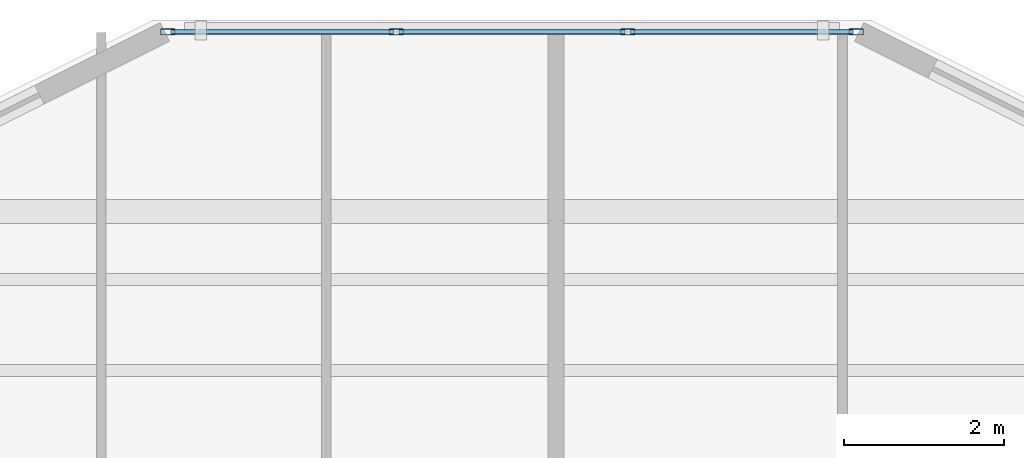
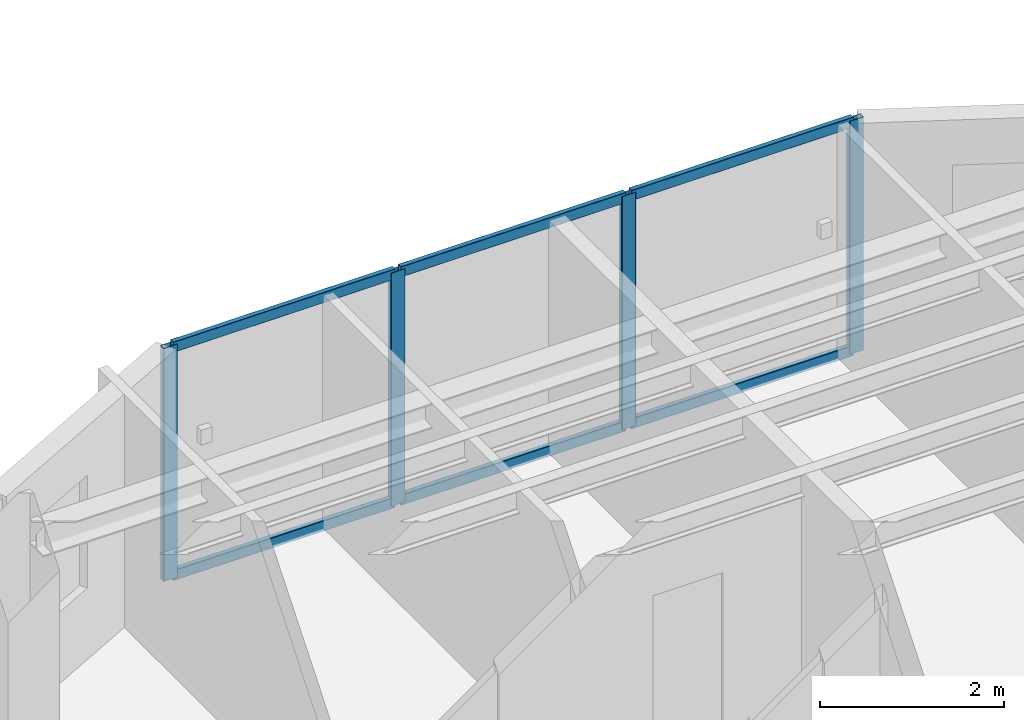
# One storey, part 4 of 15: 10 members, 1 element without a shape of its own.
"""IFC4 building model written with IfcOpenShell, lengths in metres."""

from ifc_helpers import new_model, si_unit, direction, frame, origin, origin_2d, place, context, subcontext, project, spatial, hollow_rectangle, extrude, material, layer, layer_set, material_profile, profile_set, type_object, element, aggregate, save


model = new_model("IFC4")

# Units and contexts
model_context = context("Model", 3, precision=1e-05, world=origin(), true_north=direction((0.0, 1.0)))
body_context = subcontext(model_context, "Body", "Model", "MODEL_VIEW")
ifc_project = project(units=[si_unit("LENGTHUNIT", "METRE"), si_unit("AREAUNIT", "SQUARE_METRE"), si_unit("VOLUMEUNIT", "CUBIC_METRE"), si_unit("PLANEANGLEUNIT", "RADIAN"), si_unit("MASSUNIT", "GRAM", prefix="KILO")], contexts=[model_context])

# Site, building, storey
site_placement = place(None, origin())
site = spatial("IfcSite", under=ifc_project, at=site_placement, CompositionType="ELEMENT")
building_placement = place(site_placement, origin())
building = spatial("IfcBuilding", under=site, at=building_placement, Name="Tarnavaz Court Tower", CompositionType="ELEMENT")
storey_placement = place(building_placement, frame((0.0, 0.0, 244.85009765625)))
storey = spatial("IfcBuildingStorey", under=building, at=storey_placement, Name="L66", CompositionType="ELEMENT", Elevation=244.85009765625)

# Curtain wall, members
ifc_material_1 = material(Name="Anodised Aluminium 6063-T6 and Solar Low-E Glazing", Category="aluminium")
ifc_layer = layer(ifc_material_1, 0.159912109375)
ifc_layer_set = layer_set([ifc_layer], Name="Anodised Aluminium 6063-T6 and Solar Low-E Glazing")
curtain_wall_type = type_object("IfcCurtainWallType", Name="CW-SYS-03", PredefinedType="NOTDEFINED", material=ifc_layer_set)
curtain_wall_placement = place(storey_placement, origin())
curtain_wall = element("IfcCurtainWall", 1, at=curtain_wall_placement, inside=storey, type_object=curtain_wall_type, Name="L66 Iwan Prow Curtain Wall 7", PredefinedType="NOTDEFINED")
ifc_material_2 = material(Name="Anodised Aluminium 6063-T6", Category="aluminium")
ifc_material_profile_1 = material_profile(ifc_material_2, hollow_rectangle(XDim=0.074951171875, YDim=0.179931640625, WallThickness=0.0048828125, InnerFilletRadius=0.0048828125, OuterFilletRadius=0.010009765625, at=origin_2d()), Name="ALU RHS 180X75X5")
ifc_profile_set_1 = profile_set([ifc_material_profile_1], Name="Anodised Aluminium 6063-T6")
member_type_1 = type_object("IfcMemberType", Name="CW-MUL-180", PredefinedType="MULLION", material=ifc_profile_set_1)
member_1_placement = place(storey_placement, frame((-4.3125, 22.35009765625, 0.0), z_axis=(0.0, 0.0, 1.0), x_axis=(0.0, 1.0, 0.0)))
member_1 = element("IfcMember", 2, at=member_1_placement, type_object=member_type_1, Name="CW mullion 1", PredefinedType="MULLION", context=body_context, shape_type="SweptSolid", body=[
    extrude(hollow_rectangle(XDim=0.074951171875, YDim=0.179931640625, WallThickness=0.0048828125, InnerFilletRadius=0.0048828125, OuterFilletRadius=0.010009765625, at=origin_2d()), origin(), (0.0, 0.0, 1.0), 3.099853515625),
])
member_2_placement = place(storey_placement, frame((-1.449951171875, 22.35009765625, 0.0), z_axis=(0.0, 0.0, 1.0), x_axis=(0.0, 1.0, 0.0)))
member_2 = element("IfcMember", 3, at=member_2_placement, type_object=member_type_1, Name="CW mullion 2", PredefinedType="MULLION", context=body_context, shape_type="SweptSolid", body=[
    extrude(hollow_rectangle(XDim=0.074951171875, YDim=0.179931640625, WallThickness=0.0048828125, InnerFilletRadius=0.0048828125, OuterFilletRadius=0.010009765625, at=origin_2d()), origin(), (0.0, 0.0, 1.0), 3.099853515625),
])
member_3_placement = place(storey_placement, frame((1.449951171875, 22.35009765625, 0.0), z_axis=(0.0, 0.0, 1.0), x_axis=(0.0, 1.0, 0.0)))
member_3 = element("IfcMember", 4, at=member_3_placement, type_object=member_type_1, Name="CW mullion 3", PredefinedType="MULLION", context=body_context, shape_type="SweptSolid", body=[
    extrude(hollow_rectangle(XDim=0.074951171875, YDim=0.179931640625, WallThickness=0.0048828125, InnerFilletRadius=0.0048828125, OuterFilletRadius=0.010009765625, at=origin_2d()), origin(), (0.0, 0.0, 1.0), 3.099853515625),
])
member_4_placement = place(storey_placement, frame((4.3125, 22.35009765625, 0.0), z_axis=(0.0, 0.0, 1.0), x_axis=(0.0, 1.0, 0.0)))
member_4 = element("IfcMember", 5, at=member_4_placement, type_object=member_type_1, Name="CW mullion 4", PredefinedType="MULLION", context=body_context, shape_type="SweptSolid", body=[
    extrude(hollow_rectangle(XDim=0.074951171875, YDim=0.179931640625, WallThickness=0.0048828125, InnerFilletRadius=0.0048828125, OuterFilletRadius=0.010009765625, at=origin_2d()), origin(), (0.0, 0.0, 1.0), 3.099853515625),
])
ifc_material_profile_2 = material_profile(ifc_material_2, hollow_rectangle(XDim=0.06494140625, YDim=0.139892578125, WallThickness=0.00390625, InnerFilletRadius=0.00390625, OuterFilletRadius=0.008056640625, at=origin_2d()), Name="ALU RHS 140X65X4")
ifc_profile_set_2 = profile_set([ifc_material_profile_2], Name="Anodised Aluminium 6063-T6")
member_type_2 = type_object("IfcMemberType", Name="CW-TRN-140", PredefinedType="USERDEFINED", material=ifc_profile_set_2)
member_5_placement = place(storey_placement, frame((-4.27490234375, 22.35009765625, 0.032470703125), z_axis=(1.0, 0.0, 0.0), x_axis=(0.0, 1.0, 0.0)))
member_5 = element("IfcMember", 6, at=member_5_placement, type_object=member_type_2, Name="CW transom 1.1", ObjectType="TRANSOM", PredefinedType="USERDEFINED", context=body_context, shape_type="SweptSolid", body=[
    extrude(hollow_rectangle(XDim=0.06494140625, YDim=0.139892578125, WallThickness=0.00390625, InnerFilletRadius=0.00390625, OuterFilletRadius=0.008056640625, at=origin_2d()), origin(), (0.0, 0.0, 1.0), 2.787353515625),
])
member_6_placement = place(storey_placement, frame((-4.27490234375, 22.35009765625, 3.0673828125), z_axis=(1.0, 0.0, 0.0), x_axis=(0.0, 1.0, 0.0)))
member_6 = element("IfcMember", 7, at=member_6_placement, type_object=member_type_2, Name="CW transom 1.2", ObjectType="TRANSOM", PredefinedType="USERDEFINED", context=body_context, shape_type="SweptSolid", body=[
    extrude(hollow_rectangle(XDim=0.06494140625, YDim=0.139892578125, WallThickness=0.00390625, InnerFilletRadius=0.00390625, OuterFilletRadius=0.008056640625, at=origin_2d()), origin(), (0.0, 0.0, 1.0), 2.787353515625),
])
member_7_placement = place(storey_placement, frame((-1.41259765625, 22.35009765625, 0.032470703125), z_axis=(1.0, 0.0, 0.0), x_axis=(0.0, 1.0, 0.0)))
member_7 = element("IfcMember", 8, at=member_7_placement, type_object=member_type_2, Name="CW transom 2.1", ObjectType="TRANSOM", PredefinedType="USERDEFINED", context=body_context, shape_type="SweptSolid", body=[
    extrude(hollow_rectangle(XDim=0.06494140625, YDim=0.139892578125, WallThickness=0.00390625, InnerFilletRadius=0.00390625, OuterFilletRadius=0.008056640625, at=origin_2d()), origin(), (0.0, 0.0, 1.0), 2.8251953125),
])
member_8_placement = place(storey_placement, frame((-1.41259765625, 22.35009765625, 3.0673828125), z_axis=(1.0, 0.0, 0.0), x_axis=(0.0, 1.0, 0.0)))
member_8 = element("IfcMember", 9, at=member_8_placement, type_object=member_type_2, Name="CW transom 2.2", ObjectType="TRANSOM", PredefinedType="USERDEFINED", context=body_context, shape_type="SweptSolid", body=[
    extrude(hollow_rectangle(XDim=0.06494140625, YDim=0.139892578125, WallThickness=0.00390625, InnerFilletRadius=0.00390625, OuterFilletRadius=0.008056640625, at=origin_2d()), origin(), (0.0, 0.0, 1.0), 2.8251953125),
])
member_9_placement = place(storey_placement, frame((1.487548828125, 22.35009765625, 0.032470703125), z_axis=(1.0, 0.0, 0.0), x_axis=(0.0, 1.0, 0.0)))
member_9 = element("IfcMember", 10, at=member_9_placement, type_object=member_type_2, Name="CW transom 3.1", ObjectType="TRANSOM", PredefinedType="USERDEFINED", context=body_context, shape_type="SweptSolid", body=[
    extrude(hollow_rectangle(XDim=0.06494140625, YDim=0.139892578125, WallThickness=0.00390625, InnerFilletRadius=0.00390625, OuterFilletRadius=0.008056640625, at=origin_2d()), origin(), (0.0, 0.0, 1.0), 2.787353515625),
])
member_10_placement = place(storey_placement, frame((1.487548828125, 22.35009765625, 3.0673828125), z_axis=(1.0, 0.0, 0.0), x_axis=(0.0, 1.0, 0.0)))
member_10 = element("IfcMember", 11, at=member_10_placement, type_object=member_type_2, Name="CW transom 3.2", ObjectType="TRANSOM", PredefinedType="USERDEFINED", context=body_context, shape_type="SweptSolid", body=[
    extrude(hollow_rectangle(XDim=0.06494140625, YDim=0.139892578125, WallThickness=0.00390625, InnerFilletRadius=0.00390625, OuterFilletRadius=0.008056640625, at=origin_2d()), origin(), (0.0, 0.0, 1.0), 2.787353515625),
])
aggregate(curtain_wall, [member_1, member_2, member_3, member_4, member_5, member_6, member_7, member_8, member_9, member_10])

save(model, "model.ifc")
